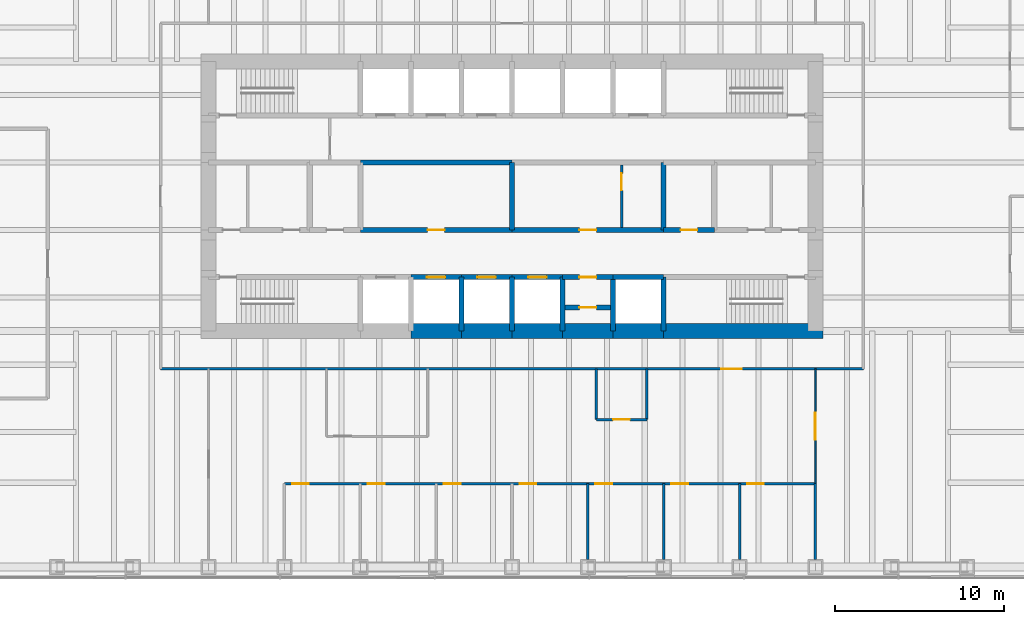
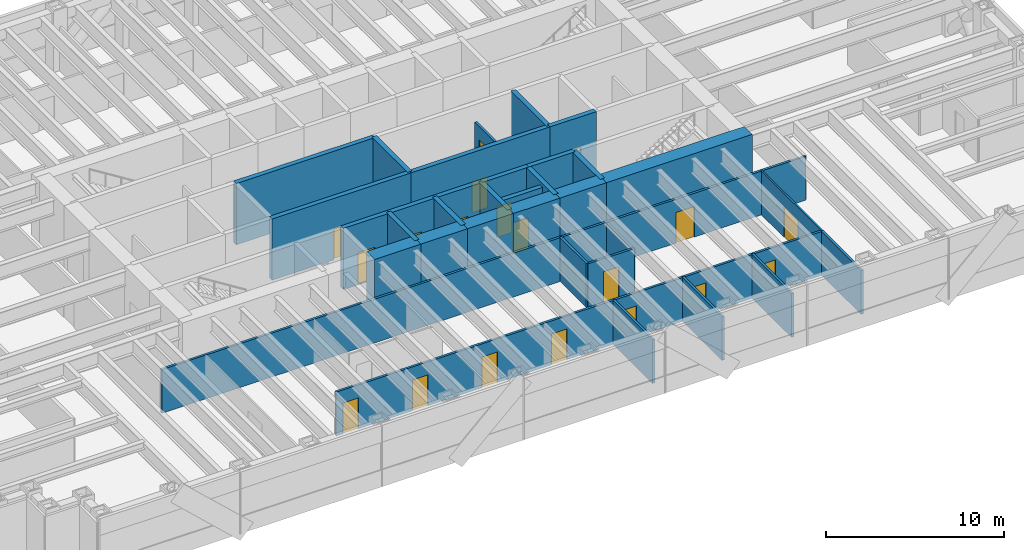
# One storey, part 12 of 16: 34 walls, 19 doors, 19 openings.
"""IFC4 building model written with IfcOpenShell, lengths in metres."""

from ifc_helpers import new_model, si_unit, direction, frame, frame_2d, origin, place, context, subcontext, project, spatial, rectangle, extrude, material, layer, layer_set, type_object, element, fill, save


model = new_model("IFC4")

# Units and contexts
model_context = context("Model", 3, precision=1e-05, world=origin(), true_north=direction((0.0, 1.0)))
body_context = subcontext(model_context, "Body", "Model", "MODEL_VIEW")
ifc_project = project(units=[si_unit("LENGTHUNIT", "METRE"), si_unit("AREAUNIT", "SQUARE_METRE"), si_unit("VOLUMEUNIT", "CUBIC_METRE"), si_unit("PLANEANGLEUNIT", "RADIAN"), si_unit("MASSUNIT", "GRAM", prefix="KILO")], contexts=[model_context])

# Site, building, storey
site_placement = place(None, origin())
site = spatial("IfcSite", under=ifc_project, at=site_placement, CompositionType="ELEMENT")
building_placement = place(site_placement, origin())
building = spatial("IfcBuilding", under=site, at=building_placement, Name="Rheinbord Bourse Tower", CompositionType="ELEMENT")
storey_placement = place(building_placement, frame((0.0, 0.0, 176.10009765625)))
storey = spatial("IfcBuildingStorey", under=building, at=storey_placement, Name="L39", CompositionType="ELEMENT", Elevation=176.10009765625)

# Wall, opening, door
ifc_material_1 = material(Name="Concrete C50/60", Category="concrete")
ifc_layer_1 = layer(ifc_material_1, 0.300048828125)
ifc_layer_set_1 = layer_set([ifc_layer_1], Name="CORE INNER WALL 300")
wall_type_1 = type_object("IfcWallType", Name="CORE INNER WALL 300", PredefinedType="SOLIDWALL", material=ifc_layer_set_1)
wall_1_placement = place(storey_placement, frame((30.0, 19.199951171875, 0.0), z_axis=(0.0, 0.0, 1.0), x_axis=(1.0, 0.0, 0.0)))
wall_1 = element("IfcWall", 1, at=wall_1_placement, inside=storey, type_object=wall_type_1, Name="Core wall A3 L39", PredefinedType="SOLIDWALL", context=body_context, shape_type="SweptSolid", body=[
    extrude(rectangle(XDim=3.0, YDim=0.300048828125, at=frame_2d((1.5, 0.0))), origin(), (0.0, 0.0, 1.0), 4.199951171875),
])
opening_1_placement = place(wall_1_placement, frame((0.949951171875, 0.0, 0.0)))
opening_1 = element("IfcOpeningElement", 2, at=opening_1_placement, cuts=wall_1, Name="Opening PB1", PredefinedType="OPENING", context=body_context, shape_type="SweptSolid", body=[
    extrude(rectangle(XDim=1.10009765625, YDim=2.199951171875, at=frame_2d((0.550048828125, 1.10009765625))), frame((0.0, 0.159912109375, 0.0), z_axis=(0.0, -1.0, 0.0), x_axis=(1.0, 0.0, 0.0)), (0.0, 0.0, 1.0), 0.320068359375),
])
ifc_material_2 = material(Name="Steel landing door", Category="steel")
door_type_1 = type_object("IfcDoorType", Name="LIFT LANDING DOOR 1100", OperationType="DOUBLE_DOOR_SLIDING", PredefinedType="USERDEFINED", material=ifc_material_2)
door_1_placement = place(opening_1_placement, origin())
door_1 = element("IfcDoor", 3, at=door_1_placement, inside=storey, type_object=door_type_1, Name="Lift landing door PB1 L39", ObjectType="LIFT LANDING DOOR", OperationType="DOUBLE_DOOR_SLIDING", OverallHeight=2.199951171875, OverallWidth=1.10009765625, PredefinedType="USERDEFINED", context=body_context, shape_type="SweptSolid", body=[
    extrude(rectangle(XDim=1.10009765625, YDim=2.199951171875, at=frame_2d((0.550048828125, 1.10009765625))), frame((0.0, 0.02490234375, 0.0), z_axis=(0.0, -1.0, 0.0), x_axis=(1.0, 0.0, 0.0)), (0.0, 0.0, 1.0), 0.050048828125),
])
fill(opening_1, door_1)

wall_2_placement = place(storey_placement, frame((33.0, 19.199951171875, 0.0), z_axis=(0.0, 0.0, 1.0), x_axis=(1.0, 0.0, 0.0)))
wall_2 = element("IfcWall", 4, at=wall_2_placement, inside=storey, type_object=wall_type_1, Name="Core wall A4 L39", PredefinedType="SOLIDWALL", context=body_context, shape_type="SweptSolid", body=[
    extrude(rectangle(XDim=3.0, YDim=0.300048828125, at=frame_2d((1.5, 0.0))), origin(), (0.0, 0.0, 1.0), 4.199951171875),
])
opening_2_placement = place(wall_2_placement, frame((0.949951171875, 0.0, 0.0)))
opening_2 = element("IfcOpeningElement", 5, at=opening_2_placement, cuts=wall_2, Name="Opening PB2", PredefinedType="OPENING", context=body_context, shape_type="SweptSolid", body=[
    extrude(rectangle(XDim=1.10009765625, YDim=2.199951171875, at=frame_2d((0.550048828125, 1.10009765625))), frame((0.0, 0.159912109375, 0.0), z_axis=(0.0, -1.0, 0.0), x_axis=(1.0, 0.0, 0.0)), (0.0, 0.0, 1.0), 0.320068359375),
])
door_2_placement = place(opening_2_placement, origin())
door_2 = element("IfcDoor", 6, at=door_2_placement, inside=storey, type_object=door_type_1, Name="Lift landing door PB2 L39", ObjectType="LIFT LANDING DOOR", OperationType="DOUBLE_DOOR_SLIDING", OverallHeight=2.199951171875, OverallWidth=1.10009765625, PredefinedType="USERDEFINED", context=body_context, shape_type="SweptSolid", body=[
    extrude(rectangle(XDim=1.10009765625, YDim=2.199951171875, at=frame_2d((0.550048828125, 1.10009765625))), frame((0.0, 0.02490234375, 0.0), z_axis=(0.0, -1.0, 0.0), x_axis=(1.0, 0.0, 0.0)), (0.0, 0.0, 1.0), 0.050048828125),
])
fill(opening_2, door_2)

wall_3_placement = place(storey_placement, frame((36.0, 19.199951171875, 0.0), z_axis=(0.0, 0.0, 1.0), x_axis=(1.0, 0.0, 0.0)))
wall_3 = element("IfcWall", 7, at=wall_3_placement, inside=storey, type_object=wall_type_1, Name="Core wall A5 L39", PredefinedType="SOLIDWALL", context=body_context, shape_type="SweptSolid", body=[
    extrude(rectangle(XDim=3.0, YDim=0.300048828125, at=frame_2d((1.5, 0.0))), origin(), (0.0, 0.0, 1.0), 4.199951171875),
])
opening_3_placement = place(wall_3_placement, frame((0.949951171875, 0.0, 0.0)))
opening_3 = element("IfcOpeningElement", 8, at=opening_3_placement, cuts=wall_3, Name="Opening PB3", PredefinedType="OPENING", context=body_context, shape_type="SweptSolid", body=[
    extrude(rectangle(XDim=1.10009765625, YDim=2.199951171875, at=frame_2d((0.550048828125, 1.10009765625))), frame((0.0, 0.159912109375, 0.0), z_axis=(0.0, -1.0, 0.0), x_axis=(1.0, 0.0, 0.0)), (0.0, 0.0, 1.0), 0.320068359375),
])
door_3_placement = place(opening_3_placement, origin())
door_3 = element("IfcDoor", 9, at=door_3_placement, inside=storey, type_object=door_type_1, Name="Lift landing door PB3 L39", ObjectType="LIFT LANDING DOOR", OperationType="DOUBLE_DOOR_SLIDING", OverallHeight=2.199951171875, OverallWidth=1.10009765625, PredefinedType="USERDEFINED", context=body_context, shape_type="SweptSolid", body=[
    extrude(rectangle(XDim=1.10009765625, YDim=2.199951171875, at=frame_2d((0.550048828125, 1.10009765625))), frame((0.0, 0.02490234375, 0.0), z_axis=(0.0, -1.0, 0.0), x_axis=(1.0, 0.0, 0.0)), (0.0, 0.0, 1.0), 0.050048828125),
])
fill(opening_3, door_3)

wall_4_placement = place(storey_placement, frame((39.0, 19.199951171875, 0.0), z_axis=(0.0, 0.0, 1.0), x_axis=(1.0, 0.0, 0.0)))
wall_4 = element("IfcWall", 10, at=wall_4_placement, inside=storey, type_object=wall_type_1, Name="Core wall A6 L39", PredefinedType="SOLIDWALL", context=body_context, shape_type="SweptSolid", body=[
    extrude(rectangle(XDim=3.0, YDim=0.300048828125, at=frame_2d((1.5, 0.0))), origin(), (0.0, 0.0, 1.0), 4.199951171875),
])
opening_4_placement = place(wall_4_placement, frame((1.0, 0.0, 0.0)))
opening_4 = element("IfcOpeningElement", 11, at=opening_4_placement, cuts=wall_4, Name="Opening 39R8", PredefinedType="OPENING", context=body_context, shape_type="SweptSolid", body=[
    extrude(rectangle(XDim=1.0, YDim=2.10009765625, at=frame_2d((0.5, 1.050048828125))), frame((0.0, 0.159912109375, 0.0), z_axis=(0.0, -1.0, 0.0), x_axis=(1.0, 0.0, 0.0)), (0.0, 0.0, 1.0), 0.320068359375),
])
ifc_material_3 = material(Name="Steel door", Category="steel")
door_type_2 = type_object("IfcDoorType", Name="DOOR 1000 EI30", OperationType="SINGLE_SWING_LEFT", PredefinedType="DOOR", material=ifc_material_3)
door_4_placement = place(opening_4_placement, origin())
door_4 = element("IfcDoor", 12, at=door_4_placement, inside=storey, type_object=door_type_2, Name="IT room door L39", OperationType="SINGLE_SWING_LEFT", OverallHeight=2.10009765625, OverallWidth=1.0, PredefinedType="DOOR", context=body_context, shape_type="SweptSolid", body=[
    extrude(rectangle(XDim=1.0, YDim=2.10009765625, at=frame_2d((0.5, 1.050048828125))), frame((0.0, 0.02490234375, 0.0), z_axis=(0.0, -1.0, 0.0), x_axis=(1.0, 0.0, 0.0)), (0.0, 0.0, 1.0), 0.050048828125),
])
fill(opening_4, door_4)

# Wall
wall_5_placement = place(storey_placement, frame((42.0, 19.199951171875, 0.0), z_axis=(0.0, 0.0, 1.0), x_axis=(1.0, 0.0, 0.0)))
element("IfcWall", 13, at=wall_5_placement, inside=storey, type_object=wall_type_1, Name="Core wall A7 L39", PredefinedType="SOLIDWALL", context=body_context, shape_type="SweptSolid", body=[
    extrude(rectangle(XDim=3.0, YDim=0.300048828125, at=frame_2d((1.5, 0.0))), origin(), (0.0, 0.0, 1.0), 4.199951171875),
])

# Wall, opening, door
wall_6_placement = place(storey_placement, frame((27.0, 22.0, 0.0), z_axis=(0.0, 0.0, 1.0), x_axis=(1.0, 0.0, 0.0)))
wall_6 = element("IfcWall", 14, at=wall_6_placement, inside=storey, type_object=wall_type_1, Name="Core wall C3 L39", PredefinedType="SOLIDWALL", context=body_context, shape_type="SweptSolid", body=[
    extrude(rectangle(XDim=9.0, YDim=0.300048828125, at=frame_2d((4.5, 0.0))), origin(), (0.0, 0.0, 1.0), 4.199951171875),
])
opening_5_placement = place(wall_6_placement, frame((4.0, 0.0, 0.0)))
opening_5 = element("IfcOpeningElement", 15, at=opening_5_placement, cuts=wall_6, Name="Opening 39R3", PredefinedType="OPENING", context=body_context, shape_type="SweptSolid", body=[
    extrude(rectangle(XDim=1.0, YDim=2.10009765625, at=frame_2d((0.5, 1.050048828125))), frame((0.0, 0.159912109375, 0.0), z_axis=(0.0, -1.0, 0.0), x_axis=(1.0, 0.0, 0.0)), (0.0, 0.0, 1.0), 0.320068359375),
])
door_5_placement = place(opening_5_placement, origin())
door_5 = element("IfcDoor", 16, at=door_5_placement, inside=storey, type_object=door_type_2, Name="Riser door L39", OperationType="SINGLE_SWING_LEFT", OverallHeight=2.10009765625, OverallWidth=1.0, PredefinedType="DOOR", context=body_context, shape_type="SweptSolid", body=[
    extrude(rectangle(XDim=1.0, YDim=2.10009765625, at=frame_2d((0.5, 1.050048828125))), frame((0.0, 0.02490234375, 0.0), z_axis=(0.0, -1.0, 0.0), x_axis=(1.0, 0.0, 0.0)), (0.0, 0.0, 1.0), 0.050048828125),
])
fill(opening_5, door_5)

wall_7_placement = place(storey_placement, frame((36.0, 22.0, 0.0), z_axis=(0.0, 0.0, 1.0), x_axis=(1.0, 0.0, 0.0)))
wall_7 = element("IfcWall", 17, at=wall_7_placement, inside=storey, type_object=wall_type_1, Name="Core wall C4 L39", PredefinedType="SOLIDWALL", context=body_context, shape_type="SweptSolid", body=[
    extrude(rectangle(XDim=9.0, YDim=0.300048828125, at=frame_2d((4.5, 0.0))), origin(), (0.0, 0.0, 1.0), 4.199951171875),
])
opening_6_placement = place(wall_7_placement, frame((4.0, 0.0, 0.0)))
opening_6 = element("IfcOpeningElement", 18, at=opening_6_placement, cuts=wall_7, Name="Opening 39R4", PredefinedType="OPENING", context=body_context, shape_type="SweptSolid", body=[
    extrude(rectangle(XDim=1.0, YDim=2.10009765625, at=frame_2d((0.5, 1.050048828125))), frame((0.0, 0.159912109375, 0.0), z_axis=(0.0, -1.0, 0.0), x_axis=(1.0, 0.0, 0.0)), (0.0, 0.0, 1.0), 0.320068359375),
])
door_6_placement = place(opening_6_placement, origin())
door_6 = element("IfcDoor", 19, at=door_6_placement, inside=storey, type_object=door_type_2, Name="Print room door L39", OperationType="SINGLE_SWING_LEFT", OverallHeight=2.10009765625, OverallWidth=1.0, PredefinedType="DOOR", context=body_context, shape_type="SweptSolid", body=[
    extrude(rectangle(XDim=1.0, YDim=2.10009765625, at=frame_2d((0.5, 1.050048828125))), frame((0.0, 0.02490234375, 0.0), z_axis=(0.0, -1.0, 0.0), x_axis=(1.0, 0.0, 0.0)), (0.0, 0.0, 1.0), 0.050048828125),
])
fill(opening_6, door_6)

wall_8_placement = place(storey_placement, frame((45.0, 22.0, 0.0), z_axis=(0.0, 0.0, 1.0), x_axis=(1.0, 0.0, 0.0)))
wall_8 = element("IfcWall", 20, at=wall_8_placement, inside=storey, type_object=wall_type_1, Name="Core wall C5 L39", PredefinedType="SOLIDWALL", context=body_context, shape_type="SweptSolid", body=[
    extrude(rectangle(XDim=3.0, YDim=0.300048828125, at=frame_2d((1.5, 0.0))), origin(), (0.0, 0.0, 1.0), 4.199951171875),
])
opening_7_placement = place(wall_8_placement, frame((1.0, 0.0, 0.0)))
opening_7 = element("IfcOpeningElement", 21, at=opening_7_placement, cuts=wall_8, Name="Opening 39R5", PredefinedType="OPENING", context=body_context, shape_type="SweptSolid", body=[
    extrude(rectangle(XDim=1.0, YDim=2.10009765625, at=frame_2d((0.5, 1.050048828125))), frame((0.0, 0.159912109375, 0.0), z_axis=(0.0, -1.0, 0.0), x_axis=(1.0, 0.0, 0.0)), (0.0, 0.0, 1.0), 0.320068359375),
])
ifc_material_4 = material(Name="Timber door", Category="wood")
door_type_3 = type_object("IfcDoorType", Name="DOOR 1000 WC", OperationType="SINGLE_SWING_LEFT", PredefinedType="DOOR", material=ifc_material_4)
door_7_placement = place(opening_7_placement, origin())
door_7 = element("IfcDoor", 22, at=door_7_placement, inside=storey, type_object=door_type_3, Name="Accessible WC door L39", OperationType="SINGLE_SWING_LEFT", OverallHeight=2.10009765625, OverallWidth=1.0, PredefinedType="DOOR", context=body_context, shape_type="SweptSolid", body=[
    extrude(rectangle(XDim=1.0, YDim=2.10009765625, at=frame_2d((0.5, 1.050048828125))), frame((0.0, 0.02490234375, 0.0), z_axis=(0.0, -1.0, 0.0), x_axis=(1.0, 0.0, 0.0)), (0.0, 0.0, 1.0), 0.050048828125),
])
fill(opening_7, door_7)

# Walls
wall_9_placement = place(storey_placement, frame((27.0, 26.0, 0.0), z_axis=(0.0, 0.0, 1.0), x_axis=(1.0, 0.0, 0.0)))
element("IfcWall", 23, at=wall_9_placement, inside=storey, type_object=wall_type_1, Name="Core wall D3 L39", PredefinedType="SOLIDWALL", context=body_context, shape_type="SweptSolid", body=[
    extrude(rectangle(XDim=9.0, YDim=0.300048828125, at=frame_2d((4.5, 0.0))), origin(), (0.0, 0.0, 1.0), 4.199951171875),
])
for number, where, z_axis, x_axis, name in (
    (24, (33.0, 16.0, 0.0), (0.0, 0.0, 1.0), (0.0, 1.0, 0.0), "Core wall SX33 L39"),
    (25, (36.0, 16.0, 0.0), (0.0, 0.0, 1.0), (0.0, 1.0, 0.0), "Core wall SX36 L39"),
    (26, (39.0, 16.0, 0.0), (0.0, 0.0, 1.0), (0.0, 1.0, 0.0), "Core wall SX39 L39"),
    (27, (42.0, 16.0, 0.0), (0.0, 0.0, 1.0), (0.0, 1.0, 0.0), "Core wall SX42 L39"),
    (28, (45.0, 16.0, 0.0), (0.0, 0.0, 1.0), (0.0, 1.0, 0.0), "Core wall SX45 L39"),
):
    element("IfcWall", number, at=place(storey_placement, frame(where, z_axis=z_axis, x_axis=x_axis)), inside=storey, type_object=wall_type_1, Name=name, PredefinedType="SOLIDWALL", context=body_context, shape_type="SweptSolid", body=[
        extrude(rectangle(XDim=3.199951171875, YDim=0.300048828125, at=frame_2d((1.60009765625, 0.0))), origin(), (0.0, 0.0, 1.0), 4.199951171875),
    ])
for number, where, z_axis, x_axis, name in (
    (29, (36.0, 22.0, 0.0), (0.0, 0.0, 1.0), (0.0, 1.0, 0.0), "Core wall MX36 L39"),
    (30, (45.0, 22.0, 0.0), (0.0, 0.0, 1.0), (0.0, 1.0, 0.0), "Core wall MX45 L39"),
):
    element("IfcWall", number, at=place(storey_placement, frame(where, z_axis=z_axis, x_axis=x_axis)), inside=storey, type_object=wall_type_1, Name=name, PredefinedType="SOLIDWALL", context=body_context, shape_type="SweptSolid", body=[
        extrude(rectangle(XDim=4.0, YDim=0.300048828125, at=frame_2d((2.0, 0.0))), origin(), (0.0, 0.0, 1.0), 4.199951171875),
    ])

# Wall, opening, door
wall_10_placement = place(storey_placement, frame((39.14990234375, 17.39990234375, 0.0), z_axis=(0.0, 0.0, 1.0), x_axis=(1.0, 0.0, 0.0)))
wall_10 = element("IfcWall", 31, at=wall_10_placement, inside=storey, type_object=wall_type_1, Name="Core riser wall L39-6", PredefinedType="SOLIDWALL", context=body_context, shape_type="SweptSolid", body=[
    extrude(rectangle(XDim=2.7001953125, YDim=0.300048828125, at=frame_2d((1.35009765625, 0.0))), origin(), (0.0, 0.0, 1.0), 3.949951171875),
])
opening_8_placement = place(wall_10_placement, frame((0.85009765625, 0.0, 0.0)))
opening_8 = element("IfcOpeningElement", 32, at=opening_8_placement, cuts=wall_10, Name="Opening 39R12", PredefinedType="OPENING", context=body_context, shape_type="SweptSolid", body=[
    extrude(rectangle(XDim=1.0, YDim=2.10009765625, at=frame_2d((0.5, 1.050048828125))), frame((0.0, 0.159912109375, 0.0), z_axis=(0.0, -1.0, 0.0), x_axis=(1.0, 0.0, 0.0)), (0.0, 0.0, 1.0), 0.320068359375),
])
door_8_placement = place(opening_8_placement, origin())
door_8 = element("IfcDoor", 33, at=door_8_placement, inside=storey, type_object=door_type_2, Name="Comms riser door L39", OperationType="SINGLE_SWING_LEFT", OverallHeight=2.10009765625, OverallWidth=1.0, PredefinedType="DOOR", context=body_context, shape_type="SweptSolid", body=[
    extrude(rectangle(XDim=1.0, YDim=2.10009765625, at=frame_2d((0.5, 1.050048828125))), frame((0.0, 0.02490234375, 0.0), z_axis=(0.0, -1.0, 0.0), x_axis=(1.0, 0.0, 0.0)), (0.0, 0.0, 1.0), 0.050048828125),
])
fill(opening_8, door_8)

ifc_material_5 = material(Name="Gypsum board fire partition", Category="gypsum board")
ifc_layer_2 = layer(ifc_material_5, 0.14990234375)
ifc_layer_set_2 = layer_set([ifc_layer_2], Name="CORE PARTITION 150 EI30")
wall_type_2 = type_object("IfcWallType", Name="CORE PARTITION 150 EI30", PredefinedType="PARTITIONING", material=ifc_layer_set_2)
wall_11_placement = place(storey_placement, frame((42.5, 22.14990234375, 0.0), z_axis=(0.0, 0.0, 1.0), x_axis=(0.0, 1.0, 0.0)))
wall_11 = element("IfcWall", 34, at=wall_11_placement, inside=storey, type_object=wall_type_2, Name="Core partition L39-1", PredefinedType="PARTITIONING", context=body_context, shape_type="SweptSolid", body=[
    extrude(rectangle(XDim=3.7001953125, YDim=0.14990234375, at=frame_2d((1.85009765625, 0.0))), origin(), (0.0, 0.0, 1.0), 3.0),
])
opening_9_placement = place(wall_11_placement, frame((2.199951171875, 0.0, 0.0)))
opening_9 = element("IfcOpeningElement", 35, at=opening_9_placement, cuts=wall_11, Name="Opening 39R7", PredefinedType="OPENING", context=body_context, shape_type="SweptSolid", body=[
    extrude(rectangle(XDim=1.0, YDim=2.10009765625, at=frame_2d((0.5, 1.050048828125))), frame((0.0, 0.0849609375, 0.0), z_axis=(0.0, -1.0, 0.0), x_axis=(1.0, 0.0, 0.0)), (0.0, 0.0, 1.0), 0.169921875),
])
door_9_placement = place(opening_9_placement, origin())
door_9 = element("IfcDoor", 36, at=door_9_placement, inside=storey, type_object=door_type_2, Name="Paper store door L39", OperationType="SINGLE_SWING_RIGHT", OverallHeight=2.10009765625, OverallWidth=1.0, PredefinedType="DOOR", context=body_context, shape_type="SweptSolid", body=[
    extrude(rectangle(XDim=1.0, YDim=2.10009765625, at=frame_2d((0.5, 1.050048828125))), frame((0.0, 0.02490234375, 0.0), z_axis=(0.0, -1.0, 0.0), x_axis=(1.0, 0.0, 0.0)), (0.0, 0.0, 1.0), 0.050048828125),
])
fill(opening_9, door_9)

# Walls
ifc_material_6 = material(Name="Concrete C50/60", Category="concrete")
ifc_layer_3 = layer(ifc_material_6, 0.89990234375)
ifc_layer_set_3 = layer_set([ifc_layer_3], Name="CORE WALL 900")
wall_type_3 = type_object("IfcWallType", Name="CORE WALL 900", PredefinedType="SHEAR", material=ifc_layer_set_3)
for number, where, z_axis, x_axis, name in (
    (37, (30.0, 16.0, 0.0), (0.0, 0.0, 1.0), (1.0, 0.0, 0.0), "Core wall S3 L39"),
    (38, (33.0, 16.0, 0.0), (0.0, 0.0, 1.0), (1.0, 0.0, 0.0), "Core wall S4 L39"),
    (39, (36.0, 16.0, 0.0), (0.0, 0.0, 1.0), (1.0, 0.0, 0.0), "Core wall S5 L39"),
    (40, (39.0, 16.0, 0.0), (0.0, 0.0, 1.0), (1.0, 0.0, 0.0), "Core wall S6 L39"),
    (41, (42.0, 16.0, 0.0), (0.0, 0.0, 1.0), (1.0, 0.0, 0.0), "Core wall S7 L39"),
):
    element("IfcWall", number, at=place(storey_placement, frame(where, z_axis=z_axis, x_axis=x_axis)), inside=storey, type_object=wall_type_3, Name=name, PredefinedType="SHEAR", context=body_context, shape_type="SweptSolid", body=[
        extrude(rectangle(XDim=3.0, YDim=0.89990234375, at=frame_2d((1.5, 0.0))), origin(), (0.0, 0.0, 1.0), 4.199951171875),
    ])
wall_12_placement = place(storey_placement, frame((45.0, 16.0, 0.0), z_axis=(0.0, 0.0, 1.0), x_axis=(1.0, 0.0, 0.0)))
element("IfcWall", 42, at=wall_12_placement, inside=storey, type_object=wall_type_3, Name="Core wall S8 L39", PredefinedType="SHEAR", context=body_context, shape_type="SweptSolid", body=[
    extrude(rectangle(XDim=9.449951171875, YDim=0.89990234375, at=frame_2d((4.72509765625, 0.0))), origin(), (0.0, 0.0, 1.0), 4.199951171875),
])

# Wall, opening, door
ifc_material_7 = material(Name="Gypsum board corridor partition", Category="gypsum board")
ifc_layer_4 = layer(ifc_material_7, 0.14990234375)
ifc_layer_set_4 = layer_set([ifc_layer_4], Name="CORRIDOR PARTITION 150 EI30")
wall_type_4 = type_object("IfcWallType", Name="CORRIDOR PARTITION 150 EI30", PredefinedType="PARTITIONING", material=ifc_layer_set_4)
wall_13_placement = place(storey_placement, frame((15.14990234375, 13.75, 0.0), z_axis=(0.0, 0.0, 1.0), x_axis=(1.0, 0.0, 0.0)))
wall_13 = element("IfcWall", 43, at=wall_13_placement, inside=storey, type_object=wall_type_4, Name="Partition L39-06", PredefinedType="PARTITIONING", context=body_context, shape_type="SweptSolid", body=[
    extrude(rectangle(XDim=41.7001953125, YDim=0.14990234375, at=frame_2d((20.85009765625, 0.0))), origin(), (0.0, 0.0, 1.0), 3.0),
])
opening_10_placement = place(wall_13_placement, frame((33.27490234375, 0.0, 0.0)))
opening_10 = element("IfcOpeningElement", 44, at=opening_10_placement, cuts=wall_13, Name="Opening 39D32", PredefinedType="OPENING", context=body_context, shape_type="SweptSolid", body=[
    extrude(rectangle(XDim=1.199951171875, YDim=2.10009765625, at=frame_2d((0.60009765625, 1.050048828125))), frame((0.0, 0.0849609375, 0.0), z_axis=(0.0, -1.0, 0.0), x_axis=(1.0, 0.0, 0.0)), (0.0, 0.0, 1.0), 0.169921875),
])
ifc_material_8 = material(Name="Timber fire door", Category="wood")
door_type_4 = type_object("IfcDoorType", Name="SUITE ENTRANCE DOOR 1200 EI30", OperationType="SINGLE_SWING_LEFT", PredefinedType="DOOR", material=ifc_material_8)
door_10_placement = place(opening_10_placement, origin())
door_10 = element("IfcDoor", 45, at=door_10_placement, inside=storey, type_object=door_type_4, Name="Suite entrance 3 door L39", OperationType="SINGLE_SWING_RIGHT", OverallHeight=2.10009765625, OverallWidth=1.199951171875, PredefinedType="DOOR", context=body_context, shape_type="SweptSolid", body=[
    extrude(rectangle(XDim=1.199951171875, YDim=2.10009765625, at=frame_2d((0.60009765625, 1.050048828125))), frame((0.0, 0.02490234375, 0.0), z_axis=(0.0, -1.0, 0.0), x_axis=(1.0, 0.0, 0.0)), (0.0, 0.0, 1.0), 0.050048828125),
])
fill(opening_10, door_10)

ifc_material_9 = material(Name="Toughened laminated glass partition", Category="glass")
ifc_layer_5 = layer(ifc_material_9, 0.10009765625)
ifc_layer_set_5 = layer_set([ifc_layer_5], Name="GLAZED PARTITION 100")
wall_type_5 = type_object("IfcWallType", Name="GLAZED PARTITION 100", PredefinedType="PARTITIONING", material=ifc_layer_set_5)
wall_14_placement = place(storey_placement, frame((54.0, 6.949951171875, 0.0), z_axis=(0.0, 0.0, 1.0), x_axis=(0.0, 1.0, 0.0)))
wall_14 = element("IfcWall", 46, at=wall_14_placement, inside=storey, type_object=wall_type_5, Name="Partition L39-41", PredefinedType="PARTITIONING", context=body_context, shape_type="SweptSolid", body=[
    extrude(rectangle(XDim=6.800048828125, YDim=0.10009765625, at=frame_2d((3.39990234375, 0.0))), origin(), (0.0, 0.0, 1.0), 3.0),
])
opening_11_placement = place(wall_14_placement, frame((2.60009765625, 0.0, 0.0)))
opening_11 = element("IfcOpeningElement", 47, at=opening_11_placement, cuts=wall_14, Name="Opening 39D28", PredefinedType="OPENING", context=body_context, shape_type="SweptSolid", body=[
    extrude(rectangle(XDim=1.60009765625, YDim=2.10009765625, at=frame_2d((0.800048828125, 1.050048828125))), frame((0.0, 0.06005859375, 0.0), z_axis=(0.0, -1.0, 0.0), x_axis=(1.0, 0.0, 0.0)), (0.0, 0.0, 1.0), 0.1201171875),
])
ifc_material_10 = material(Name="Timber door", Category="wood")
door_type_5 = type_object("IfcDoorType", Name="DOUBLE ROOM DOOR 1600", OperationType="DOUBLE_DOOR_DOUBLE_SWING", PredefinedType="DOOR", material=ifc_material_10)
door_11_placement = place(opening_11_placement, origin())
door_11 = element("IfcDoor", 48, at=door_11_placement, inside=storey, type_object=door_type_5, Name="Open area door L39", OperationType="SINGLE_SWING_LEFT", OverallHeight=2.10009765625, OverallWidth=1.60009765625, PredefinedType="DOOR", context=body_context, shape_type="SweptSolid", body=[
    extrude(rectangle(XDim=1.60009765625, YDim=2.10009765625, at=frame_2d((0.800048828125, 1.050048828125))), frame((0.0, 0.02490234375, 0.0), z_axis=(0.0, -1.0, 0.0), x_axis=(1.0, 0.0, 0.0)), (0.0, 0.0, 1.0), 0.050048828125),
])
fill(opening_11, door_11)

# Wall, openings, doors
ifc_material_11 = material(Name="Gypsum board partition", Category="gypsum board")
ifc_layer_6 = layer(ifc_material_11, 0.14990234375)
ifc_layer_set_6 = layer_set([ifc_layer_6], Name="PARTITION 150")
wall_type_6 = type_object("IfcWallType", Name="PARTITION 150", PredefinedType="PARTITIONING", material=ifc_layer_set_6)
wall_15_placement = place(storey_placement, frame((22.5, 6.949951171875, 0.0), z_axis=(0.0, 0.0, 1.0), x_axis=(1.0, 0.0, 0.0)))
wall_15 = element("IfcWall", 49, at=wall_15_placement, inside=storey, type_object=wall_type_6, Name="Partition L39-01", PredefinedType="PARTITIONING", context=body_context, shape_type="SweptSolid", body=[
    extrude(rectangle(XDim=31.5, YDim=0.14990234375, at=frame_2d((15.75, 0.0))), origin(), (0.0, 0.0, 1.0), 3.0),
])
opening_12_placement = place(wall_15_placement, frame((0.449951171875, 0.0, 0.0)))
opening_12 = element("IfcOpeningElement", 50, at=opening_12_placement, cuts=wall_15, Name="Opening 39D01", PredefinedType="OPENING", context=body_context, shape_type="SweptSolid", body=[
    extrude(rectangle(XDim=1.0, YDim=2.10009765625, at=frame_2d((0.5, 1.050048828125))), frame((0.0, 0.0849609375, 0.0), z_axis=(0.0, -1.0, 0.0), x_axis=(1.0, 0.0, 0.0)), (0.0, 0.0, 1.0), 0.169921875),
])
opening_13_placement = place(wall_15_placement, frame((4.949951171875, 0.0, 0.0)))
opening_13 = element("IfcOpeningElement", 51, at=opening_13_placement, cuts=wall_15, Name="Opening 39D02", PredefinedType="OPENING", context=body_context, shape_type="SweptSolid", body=[
    extrude(rectangle(XDim=1.0, YDim=2.10009765625, at=frame_2d((0.5, 1.050048828125))), frame((0.0, 0.0849609375, 0.0), z_axis=(0.0, -1.0, 0.0), x_axis=(1.0, 0.0, 0.0)), (0.0, 0.0, 1.0), 0.169921875),
])
opening_14_placement = place(wall_15_placement, frame((9.449951171875, 0.0, 0.0)))
opening_14 = element("IfcOpeningElement", 52, at=opening_14_placement, cuts=wall_15, Name="Opening 39D03", PredefinedType="OPENING", context=body_context, shape_type="SweptSolid", body=[
    extrude(rectangle(XDim=1.0, YDim=2.10009765625, at=frame_2d((0.5, 1.050048828125))), frame((0.0, 0.0849609375, 0.0), z_axis=(0.0, -1.0, 0.0), x_axis=(1.0, 0.0, 0.0)), (0.0, 0.0, 1.0), 0.169921875),
])
opening_15_placement = place(wall_15_placement, frame((13.949951171875, 0.0, 0.0)))
opening_15 = element("IfcOpeningElement", 53, at=opening_15_placement, cuts=wall_15, Name="Opening 39D04", PredefinedType="OPENING", context=body_context, shape_type="SweptSolid", body=[
    extrude(rectangle(XDim=1.0, YDim=2.10009765625, at=frame_2d((0.5, 1.050048828125))), frame((0.0, 0.0849609375, 0.0), z_axis=(0.0, -1.0, 0.0), x_axis=(1.0, 0.0, 0.0)), (0.0, 0.0, 1.0), 0.169921875),
])
opening_16_placement = place(wall_15_placement, frame((18.449951171875, 0.0, 0.0)))
opening_16 = element("IfcOpeningElement", 54, at=opening_16_placement, cuts=wall_15, Name="Opening 39D05", PredefinedType="OPENING", context=body_context, shape_type="SweptSolid", body=[
    extrude(rectangle(XDim=1.0, YDim=2.10009765625, at=frame_2d((0.5, 1.050048828125))), frame((0.0, 0.0849609375, 0.0), z_axis=(0.0, -1.0, 0.0), x_axis=(1.0, 0.0, 0.0)), (0.0, 0.0, 1.0), 0.169921875),
])
opening_17_placement = place(wall_15_placement, frame((22.949951171875, 0.0, 0.0)))
opening_17 = element("IfcOpeningElement", 55, at=opening_17_placement, cuts=wall_15, Name="Opening 39D06", PredefinedType="OPENING", context=body_context, shape_type="SweptSolid", body=[
    extrude(rectangle(XDim=1.0, YDim=2.10009765625, at=frame_2d((0.5, 1.050048828125))), frame((0.0, 0.0849609375, 0.0), z_axis=(0.0, -1.0, 0.0), x_axis=(1.0, 0.0, 0.0)), (0.0, 0.0, 1.0), 0.169921875),
])
opening_18_placement = place(wall_15_placement, frame((27.449951171875, 0.0, 0.0)))
opening_18 = element("IfcOpeningElement", 56, at=opening_18_placement, cuts=wall_15, Name="Opening 39D07", PredefinedType="OPENING", context=body_context, shape_type="SweptSolid", body=[
    extrude(rectangle(XDim=1.0, YDim=2.10009765625, at=frame_2d((0.5, 1.050048828125))), frame((0.0, 0.0849609375, 0.0), z_axis=(0.0, -1.0, 0.0), x_axis=(1.0, 0.0, 0.0)), (0.0, 0.0, 1.0), 0.169921875),
])
ifc_material_12 = material(Name="Timber door", Category="wood")
door_type_6 = type_object("IfcDoorType", Name="ROOM DOOR 1000", OperationType="SINGLE_SWING_LEFT", PredefinedType="DOOR", material=ifc_material_12)
door_12_placement = place(opening_12_placement, origin())
door_12 = element("IfcDoor", 57, at=door_12_placement, inside=storey, type_object=door_type_6, Name="Office door L39", OperationType="SINGLE_SWING_LEFT", OverallHeight=2.10009765625, OverallWidth=1.0, PredefinedType="DOOR", context=body_context, shape_type="SweptSolid", body=[
    extrude(rectangle(XDim=1.0, YDim=2.10009765625, at=frame_2d((0.5, 1.050048828125))), frame((0.0, 0.02490234375, 0.0), z_axis=(0.0, -1.0, 0.0), x_axis=(1.0, 0.0, 0.0)), (0.0, 0.0, 1.0), 0.050048828125),
])
fill(opening_12, door_12)
door_13_placement = place(opening_13_placement, origin())
door_13 = element("IfcDoor", 58, at=door_13_placement, inside=storey, type_object=door_type_6, Name="Office door L39", OperationType="SINGLE_SWING_LEFT", OverallHeight=2.10009765625, OverallWidth=1.0, PredefinedType="DOOR", context=body_context, shape_type="SweptSolid", body=[
    extrude(rectangle(XDim=1.0, YDim=2.10009765625, at=frame_2d((0.5, 1.050048828125))), frame((0.0, 0.02490234375, 0.0), z_axis=(0.0, -1.0, 0.0), x_axis=(1.0, 0.0, 0.0)), (0.0, 0.0, 1.0), 0.050048828125),
])
fill(opening_13, door_13)
door_14_placement = place(opening_14_placement, origin())
door_14 = element("IfcDoor", 59, at=door_14_placement, inside=storey, type_object=door_type_6, Name="Office door L39", OperationType="SINGLE_SWING_LEFT", OverallHeight=2.10009765625, OverallWidth=1.0, PredefinedType="DOOR", context=body_context, shape_type="SweptSolid", body=[
    extrude(rectangle(XDim=1.0, YDim=2.10009765625, at=frame_2d((0.5, 1.050048828125))), frame((0.0, 0.02490234375, 0.0), z_axis=(0.0, -1.0, 0.0), x_axis=(1.0, 0.0, 0.0)), (0.0, 0.0, 1.0), 0.050048828125),
])
fill(opening_14, door_14)
door_15_placement = place(opening_15_placement, origin())
door_15 = element("IfcDoor", 60, at=door_15_placement, inside=storey, type_object=door_type_6, Name="Office door L39", OperationType="SINGLE_SWING_LEFT", OverallHeight=2.10009765625, OverallWidth=1.0, PredefinedType="DOOR", context=body_context, shape_type="SweptSolid", body=[
    extrude(rectangle(XDim=1.0, YDim=2.10009765625, at=frame_2d((0.5, 1.050048828125))), frame((0.0, 0.02490234375, 0.0), z_axis=(0.0, -1.0, 0.0), x_axis=(1.0, 0.0, 0.0)), (0.0, 0.0, 1.0), 0.050048828125),
])
fill(opening_15, door_15)
door_16_placement = place(opening_16_placement, origin())
door_16 = element("IfcDoor", 61, at=door_16_placement, inside=storey, type_object=door_type_6, Name="Office door L39", OperationType="SINGLE_SWING_RIGHT", OverallHeight=2.10009765625, OverallWidth=1.0, PredefinedType="DOOR", context=body_context, shape_type="SweptSolid", body=[
    extrude(rectangle(XDim=1.0, YDim=2.10009765625, at=frame_2d((0.5, 1.050048828125))), frame((0.0, 0.02490234375, 0.0), z_axis=(0.0, -1.0, 0.0), x_axis=(1.0, 0.0, 0.0)), (0.0, 0.0, 1.0), 0.050048828125),
])
fill(opening_16, door_16)
door_17_placement = place(opening_17_placement, origin())
door_17 = element("IfcDoor", 62, at=door_17_placement, inside=storey, type_object=door_type_6, Name="Office door L39", OperationType="SINGLE_SWING_RIGHT", OverallHeight=2.10009765625, OverallWidth=1.0, PredefinedType="DOOR", context=body_context, shape_type="SweptSolid", body=[
    extrude(rectangle(XDim=1.0, YDim=2.10009765625, at=frame_2d((0.5, 1.050048828125))), frame((0.0, 0.02490234375, 0.0), z_axis=(0.0, -1.0, 0.0), x_axis=(1.0, 0.0, 0.0)), (0.0, 0.0, 1.0), 0.050048828125),
])
fill(opening_17, door_17)
door_18_placement = place(opening_18_placement, origin())
door_18 = element("IfcDoor", 63, at=door_18_placement, inside=storey, type_object=door_type_6, Name="Pantry door L39", OperationType="SINGLE_SWING_RIGHT", OverallHeight=2.10009765625, OverallWidth=1.0, PredefinedType="DOOR", context=body_context, shape_type="SweptSolid", body=[
    extrude(rectangle(XDim=1.0, YDim=2.10009765625, at=frame_2d((0.5, 1.050048828125))), frame((0.0, 0.02490234375, 0.0), z_axis=(0.0, -1.0, 0.0), x_axis=(1.0, 0.0, 0.0)), (0.0, 0.0, 1.0), 0.050048828125),
])
fill(opening_18, door_18)

# Wall, opening, door
wall_16_placement = place(storey_placement, frame((41.0, 10.75, 0.0), z_axis=(0.0, 0.0, 1.0), x_axis=(1.0, 0.0, 0.0)))
wall_16 = element("IfcWall", 64, at=wall_16_placement, inside=storey, type_object=wall_type_6, Name="Partition L39-03", PredefinedType="PARTITIONING", context=body_context, shape_type="SweptSolid", body=[
    extrude(rectangle(XDim=3.0, YDim=0.14990234375, at=frame_2d((1.5, 0.0))), origin(), (0.0, 0.0, 1.0), 3.0),
])
opening_19_placement = place(wall_16_placement, frame((1.0, 0.0, 0.0)))
opening_19 = element("IfcOpeningElement", 65, at=opening_19_placement, cuts=wall_16, Name="Opening 39D09", PredefinedType="OPENING", context=body_context, shape_type="SweptSolid", body=[
    extrude(rectangle(XDim=1.0, YDim=2.10009765625, at=frame_2d((0.5, 1.050048828125))), frame((0.0, 0.0849609375, 0.0), z_axis=(0.0, -1.0, 0.0), x_axis=(1.0, 0.0, 0.0)), (0.0, 0.0, 1.0), 0.169921875),
])
door_19_placement = place(opening_19_placement, origin())
door_19 = element("IfcDoor", 66, at=door_19_placement, inside=storey, type_object=door_type_6, Name="Print room door L39", OperationType="SINGLE_SWING_LEFT", OverallHeight=2.10009765625, OverallWidth=1.0, PredefinedType="DOOR", context=body_context, shape_type="SweptSolid", body=[
    extrude(rectangle(XDim=1.0, YDim=2.10009765625, at=frame_2d((0.5, 1.050048828125))), frame((0.0, 0.02490234375, 0.0), z_axis=(0.0, -1.0, 0.0), x_axis=(1.0, 0.0, 0.0)), (0.0, 0.0, 1.0), 0.050048828125),
])
fill(opening_19, door_19)

# Walls
wall_17_placement = place(storey_placement, frame((40.5, 2.449951171875, 0.0), z_axis=(0.0, 0.0, 1.0), x_axis=(0.0, 1.0, 0.0)))
element("IfcWall", 67, at=wall_17_placement, inside=storey, type_object=wall_type_6, Name="Partition L39-32", PredefinedType="PARTITIONING", context=body_context, shape_type="SweptSolid", body=[
    extrude(rectangle(XDim=4.5, YDim=0.14990234375, at=frame_2d((2.25, 0.0))), origin(), (0.0, 0.0, 1.0), 3.0),
])
wall_18_placement = place(storey_placement, frame((41.0, 10.75, 0.0), z_axis=(0.0, 0.0, 1.0), x_axis=(0.0, 1.0, 0.0)))
element("IfcWall", 68, at=wall_18_placement, inside=storey, type_object=wall_type_6, Name="Partition L39-34", PredefinedType="PARTITIONING", context=body_context, shape_type="SweptSolid", body=[
    extrude(rectangle(XDim=3.0, YDim=0.14990234375, at=frame_2d((1.5, 0.0))), origin(), (0.0, 0.0, 1.0), 3.0),
])
wall_19_placement = place(storey_placement, frame((44.0, 10.75, 0.0), z_axis=(0.0, 0.0, 1.0), x_axis=(0.0, 1.0, 0.0)))
element("IfcWall", 69, at=wall_19_placement, inside=storey, type_object=wall_type_6, Name="Partition L39-35", PredefinedType="PARTITIONING", context=body_context, shape_type="SweptSolid", body=[
    extrude(rectangle(XDim=3.0, YDim=0.14990234375, at=frame_2d((1.5, 0.0))), origin(), (0.0, 0.0, 1.0), 2.94189453125),
])
for number, where, z_axis, x_axis, name in (
    (70, (45.0, 2.449951171875, 0.0), (0.0, 0.0, 1.0), (0.0, 1.0, 0.0), "Partition L39-36"),
    (71, (49.5, 2.449951171875, 0.0), (0.0, 0.0, 1.0), (0.0, 1.0, 0.0), "Partition L39-38"),
    (72, (54.0, 2.449951171875, 0.0), (0.0, 0.0, 1.0), (0.0, 1.0, 0.0), "Partition L39-40"),
):
    element("IfcWall", number, at=place(storey_placement, frame(where, z_axis=z_axis, x_axis=x_axis)), inside=storey, type_object=wall_type_6, Name=name, PredefinedType="PARTITIONING", context=body_context, shape_type="SweptSolid", body=[
        extrude(rectangle(XDim=4.5, YDim=0.14990234375, at=frame_2d((2.25, 0.0))), origin(), (0.0, 0.0, 1.0), 3.0),
    ])

save(model, "model.ifc")
